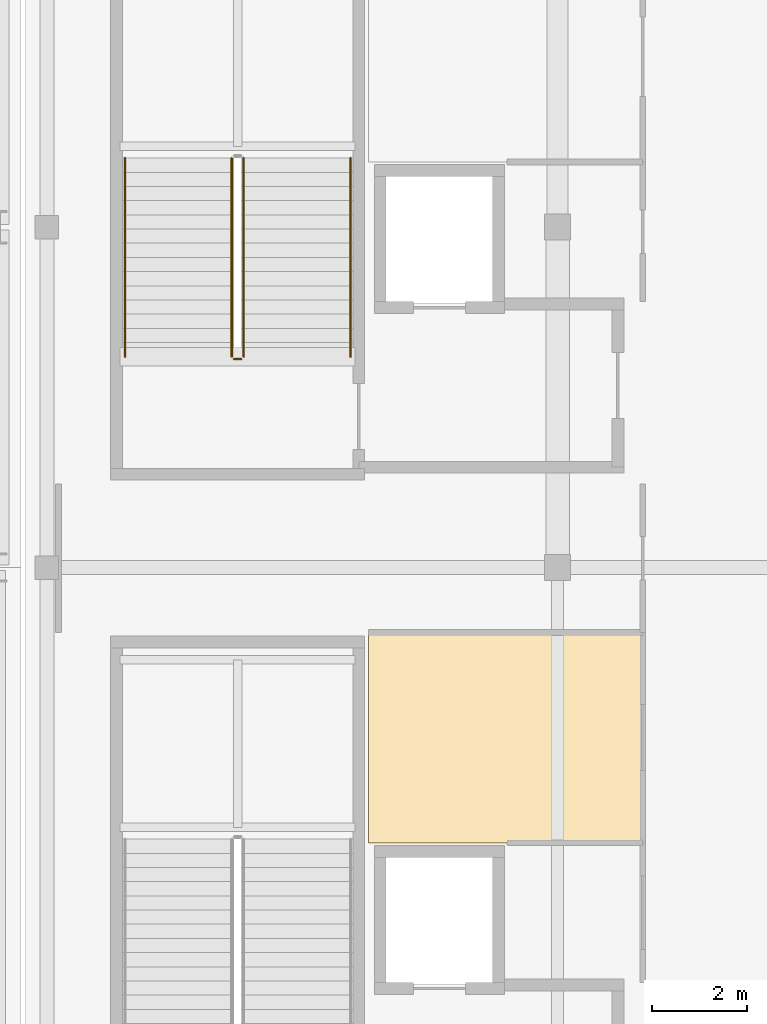
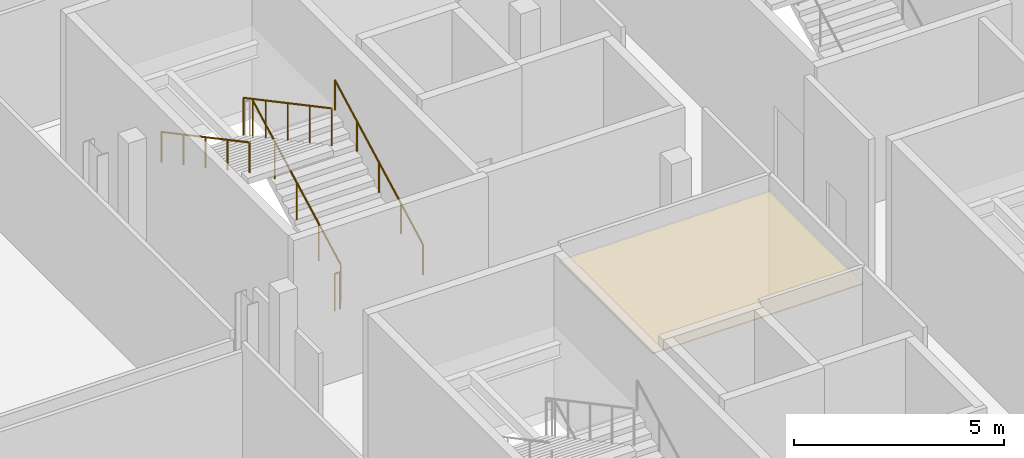
# One storey, part 96 of 129: 5 railings, 1 covering.
"""IFC4 building model written with IfcOpenShell, lengths in metres."""

from ifc_helpers import new_model, si_unit, direction, frame, origin, origin_2d, place, context, subcontext, project, spatial, polyline, circle, outline, extrude, material, layer, layer_set, type_object, element, save


model = new_model("IFC4")

# Units and contexts
model_context = context("Model", 3, precision=1e-05, world=origin(), true_north=direction((0.0, 1.0)))
body_context = subcontext(model_context, "Body", "Model", "MODEL_VIEW")
ifc_project = project(units=[si_unit("LENGTHUNIT", "METRE"), si_unit("AREAUNIT", "SQUARE_METRE"), si_unit("VOLUMEUNIT", "CUBIC_METRE"), si_unit("PLANEANGLEUNIT", "RADIAN"), si_unit("MASSUNIT", "GRAM", prefix="KILO")], contexts=[model_context])

# Site, building, storey
site_placement = place(None, origin())
site = spatial("IfcSite", under=ifc_project, at=site_placement, CompositionType="ELEMENT")
building_placement = place(site_placement, origin())
building = spatial("IfcBuilding", under=site, at=building_placement, Name="Koshinbarg Plaza Stadium", CompositionType="ELEMENT")
storey_placement = place(building_placement, frame((0.0, 0.0, 5.39990234375)))
storey = spatial("IfcBuildingStorey", under=building, at=storey_placement, Name="L01", CompositionType="ELEMENT", Elevation=5.39990234375)

# Covering
ifc_material_1 = material(Name="Perforated gypsum acoustic ceiling board")
ifc_layer = layer(ifc_material_1, 0.030029296875)
ifc_layer_set = layer_set([ifc_layer], Name="Perforated gypsum acoustic ceiling board")
covering_type = type_object("IfcCoveringType", Name="COV-CEIL-01", PredefinedType="CEILING", material=ifc_layer_set)
covering_placement = place(storey_placement, frame((0.0, 0.0, 3.9501953125)))
element("IfcCovering", 1, at=covering_placement, inside=storey, type_object=covering_type, Name="L01 Supporters' Club Lounge acoustic ceiling 004", PredefinedType="CEILING", context=body_context, shape_type="SweptSolid", body=[
    extrude(outline(polyline([(31.39990234375, 34.080078125), (37.199951171875, 34.080078125), (37.199951171875, 38.530029296875), (31.39990234375, 38.530029296875), (31.39990234375, 34.080078125)])), origin(), (0.0, 0.0, 1.0), 0.02978515625),
])

# Railings
ifc_material_2 = material(Name="Galvanized painted steel guardrail", Category="steel")
railing_type_1 = type_object("IfcRailingType", Name="RL-GUARD-1100", PredefinedType="GUARDRAIL", material=ifc_material_2)
railing_1_placement = place(storey_placement, frame((28.760009765625, 44.360107421875, 0.16015625)))
element("IfcRailing", 2, at=railing_1_placement, inside=storey, type_object=railing_type_1, Name="L01 C02 stair guard 1", PredefinedType="GUARDRAIL", context=body_context, shape_type="SweptSolid", body=[
    extrude(circle(Radius=0.02392578125, at=origin_2d()), frame((0.0, 0.0, 1.076171875), z_axis=(0.0, 0.882351521365, 0.470590897432), x_axis=(-1.0, 0.0, 0.0)), (0.0, 0.0, 1.0), 4.760009765625),
    extrude(circle(Radius=0.02099609375, at=origin_2d()), origin(), (0.0, 0.0, 1.0), 1.052001953125),
    extrude(circle(Radius=0.02099609375, at=origin_2d()), frame((0.0, 1.050048828125, 0.56005859375)), (0.0, 0.0, 1.0), 1.052001953125),
    extrude(circle(Radius=0.02099609375, at=origin_2d()), frame((0.0, 2.10009765625, 1.1201171875)), (0.0, 0.0, 1.0), 1.052001953125),
    extrude(circle(Radius=0.02099609375, at=origin_2d()), frame((0.0, 3.14990234375, 1.679931640625)), (0.0, 0.0, 1.0), 1.052001953125),
    extrude(circle(Radius=0.02099609375, at=origin_2d()), frame((0.0, 4.199951171875, 2.239990234375)), (0.0, 0.0, 1.0), 1.052001953125),
])
railing_2_placement = place(storey_placement, frame((28.510009765625, 48.56005859375, 2.56005859375)))
element("IfcRailing", 3, at=railing_2_placement, inside=storey, type_object=railing_type_1, Name="L01 C02 stair guard 3", PredefinedType="GUARDRAIL", context=body_context, shape_type="SweptSolid", body=[
    extrude(circle(Radius=0.02392578125, at=origin_2d()), frame((0.0, 0.0, 1.076171875), z_axis=(0.0, -0.882351521365, 0.470590897432), x_axis=(1.0, 0.0, 0.0)), (0.0, 0.0, 1.0), 4.760009765625),
    extrude(circle(Radius=0.02099609375, at=origin_2d()), origin(), (0.0, 0.0, 1.0), 1.052001953125),
    extrude(circle(Radius=0.02099609375, at=origin_2d()), frame((0.0, -1.050048828125, 0.56005859375)), (0.0, 0.0, 1.0), 1.052001953125),
    extrude(circle(Radius=0.02099609375, at=origin_2d()), frame((0.0, -2.10009765625, 1.1201171875)), (0.0, 0.0, 1.0), 1.052001953125),
    extrude(circle(Radius=0.02099609375, at=origin_2d()), frame((0.0, -3.14990234375, 1.679931640625)), (0.0, 0.0, 1.0), 1.052001953125),
    extrude(circle(Radius=0.02099609375, at=origin_2d()), frame((0.0, -4.199951171875, 2.239990234375)), (0.0, 0.0, 1.0), 1.052001953125),
])
railing_3_placement = place(storey_placement, frame((28.7099609375, 44.31005859375, 0.0)))
element("IfcRailing", 4, at=railing_3_placement, inside=storey, type_object=railing_type_1, Name="L01 C02 stair guard 4", PredefinedType="GUARDRAIL", context=body_context, shape_type="SweptSolid", body=[
    extrude(circle(Radius=0.02392578125, at=origin_2d()), frame((0.0, 0.0, 1.076171875), z_axis=(-1.0, 0.0, 0.0), x_axis=(0.0, -1.0, 0.0)), (0.0, 0.0, 1.0), 0.14990234375),
    extrude(circle(Radius=0.02099609375, at=origin_2d()), origin(), (0.0, 0.0, 1.0), 1.052001953125),
    extrude(circle(Radius=0.02099609375, at=origin_2d()), frame((-0.14990234375, 0.0, 0.0)), (0.0, 0.0, 1.0), 1.052001953125),
])
ifc_material_3 = material(Name="Brushed stainless steel handrail", Category="steel")
railing_type_2 = type_object("IfcRailingType", Name="RL-HAND-900", PredefinedType="HANDRAIL", material=ifc_material_3)
railing_4_placement = place(storey_placement, frame((31.02001953125, 44.360107421875, 0.16015625)))
element("IfcRailing", 5, at=railing_4_placement, inside=storey, type_object=railing_type_2, Name="L01 C02 stair handrail 1", PredefinedType="HANDRAIL", context=body_context, shape_type="SweptSolid", body=[
    extrude(circle(Radius=0.02392578125, at=origin_2d()), frame((0.0, 0.0, 0.8759765625), z_axis=(0.0, 0.882351521365, 0.470590897432), x_axis=(-1.0, 0.0, 0.0)), (0.0, 0.0, 1.0), 4.760009765625),
    extrude(circle(Radius=0.02099609375, at=origin_2d()), origin(), (0.0, 0.0, 1.0), 0.851806640625),
    extrude(circle(Radius=0.02099609375, at=origin_2d()), frame((0.0, 1.050048828125, 0.56005859375)), (0.0, 0.0, 1.0), 0.851806640625),
    extrude(circle(Radius=0.02099609375, at=origin_2d()), frame((0.0, 2.10009765625, 1.1201171875)), (0.0, 0.0, 1.0), 0.851806640625),
    extrude(circle(Radius=0.02099609375, at=origin_2d()), frame((0.0, 3.14990234375, 1.679931640625)), (0.0, 0.0, 1.0), 0.851806640625),
    extrude(circle(Radius=0.02099609375, at=origin_2d()), frame((0.0, 4.199951171875, 2.239990234375)), (0.0, 0.0, 1.0), 0.851806640625),
])
railing_5_placement = place(storey_placement, frame((26.25, 48.56005859375, 2.56005859375)))
element("IfcRailing", 6, at=railing_5_placement, inside=storey, type_object=railing_type_2, Name="L01 C02 stair handrail 2", PredefinedType="HANDRAIL", context=body_context, shape_type="SweptSolid", body=[
    extrude(circle(Radius=0.02392578125, at=origin_2d()), frame((0.0, 0.0, 0.8759765625), z_axis=(0.0, -0.882351521365, 0.470590897432), x_axis=(1.0, 0.0, 0.0)), (0.0, 0.0, 1.0), 4.760009765625),
    extrude(circle(Radius=0.02099609375, at=origin_2d()), origin(), (0.0, 0.0, 1.0), 0.851806640625),
    extrude(circle(Radius=0.02099609375, at=origin_2d()), frame((0.0, -1.050048828125, 0.56005859375)), (0.0, 0.0, 1.0), 0.851806640625),
    extrude(circle(Radius=0.02099609375, at=origin_2d()), frame((0.0, -2.10009765625, 1.1201171875)), (0.0, 0.0, 1.0), 0.851806640625),
    extrude(circle(Radius=0.02099609375, at=origin_2d()), frame((0.0, -3.14990234375, 1.679931640625)), (0.0, 0.0, 1.0), 0.851806640625),
    extrude(circle(Radius=0.02099609375, at=origin_2d()), frame((0.0, -4.199951171875, 2.239990234375)), (0.0, 0.0, 1.0), 0.851806640625),
])

save(model, "model.ifc")
